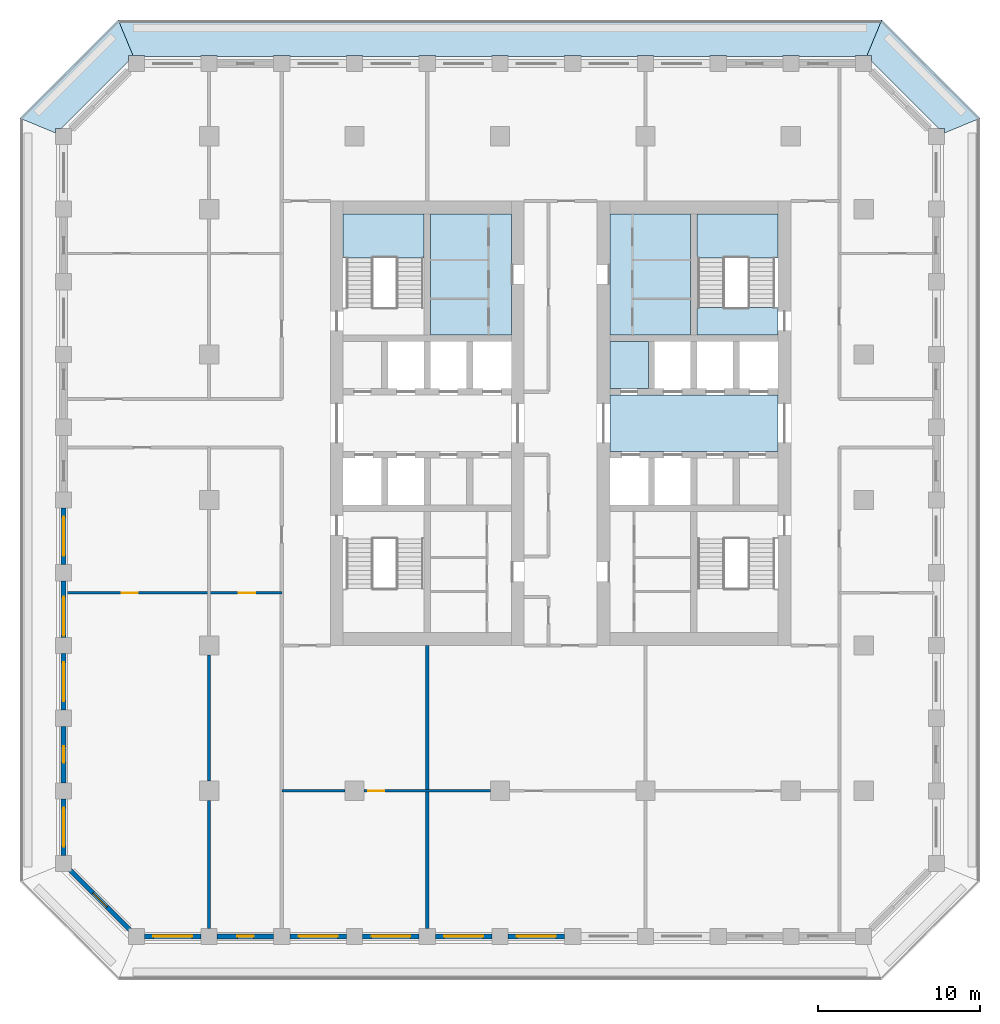
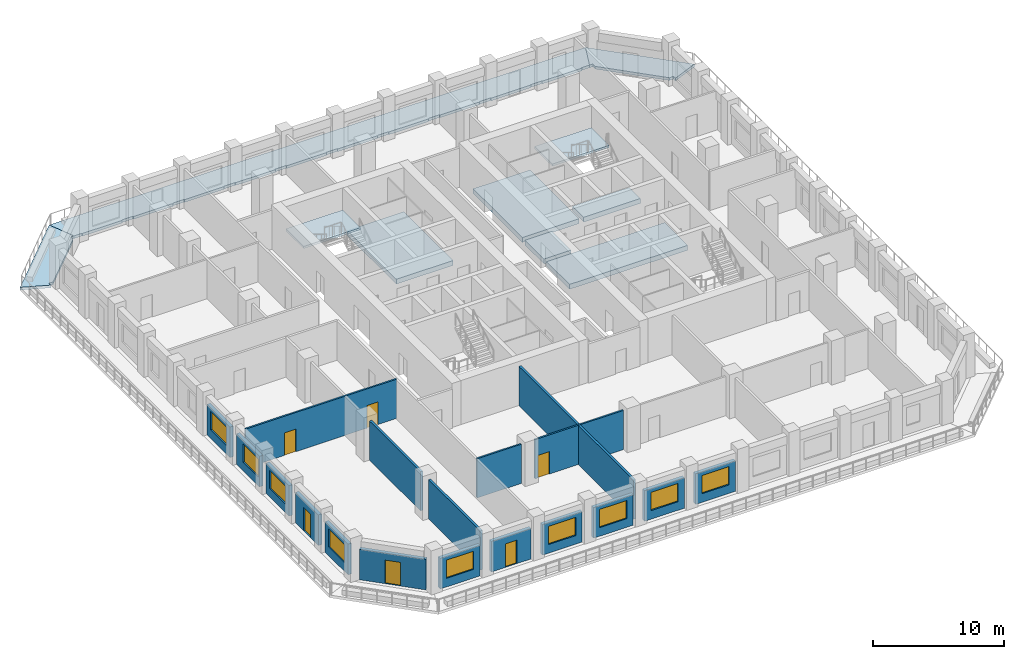
# One storey, part 2 of 16: 18 walls, 10 slabs, 9 windows, 6 doors, 15 openings, 2 elements without a shape of their own.
"""IFC4 building model written with IfcOpenShell, lengths in metres."""

from ifc_helpers import new_model, si_unit, direction, frame, frame_2d, origin, place, context, subcontext, project, spatial, polyline, rectangle, outline, extrude, material, layer, layer_set, type_object, element, fill, aggregate, save


model = new_model("IFC4")

# Units and contexts
model_context = context("Model", 3, precision=1e-05, world=origin(), true_north=direction((0.0, 1.0)))
body_context = subcontext(model_context, "Body", "Model", "MODEL_VIEW")
ifc_project = project(units=[si_unit("LENGTHUNIT", "METRE"), si_unit("AREAUNIT", "SQUARE_METRE"), si_unit("VOLUMEUNIT", "CUBIC_METRE"), si_unit("PLANEANGLEUNIT", "RADIAN"), si_unit("MASSUNIT", "GRAM", prefix="KILO")], contexts=[model_context])

# Site, building, storey
site_placement = place(None, origin())
site = spatial("IfcSite", under=ifc_project, at=site_placement, CompositionType="ELEMENT")
building_placement = place(site_placement, origin())
building = spatial("IfcBuilding", under=site, at=building_placement, Name="Corbel Stack Research Tower", CompositionType="ELEMENT")
storey_placement = place(building_placement, frame((0.0, 0.0, 169.10009765625)))
storey = spatial("IfcBuildingStorey", under=building, at=storey_placement, Name="L38", CompositionType="ELEMENT", Elevation=169.10009765625)

# Slabs
ifc_material_1 = material(Name="Concrete C45/55", Category="concrete")
ifc_layer_1 = layer(ifc_material_1, 0.25)
ifc_layer_set_1 = layer_set([ifc_layer_1], Name="Concrete C45/55")
slab_type_1 = type_object("IfcSlabType", Name="PT balcony slab 250 C45/55", PredefinedType="FLOOR", material=ifc_layer_set_1)
slab_1_placement = place(storey_placement, frame((0.0, 0.0, -0.25)))
element("IfcSlab", 1, at=slab_1_placement, inside=storey, type_object=slab_type_1, Name="Loggia slab L38 NE", PredefinedType="FLOOR", context=body_context, shape_type="SweptSolid", body=[
    extrude(outline(polyline([(22.70703125, 27.5), (23.0, 27.5), (23.0, 27.136474609375), (27.136474609375, 23.0), (27.5, 23.0), (27.5, 22.70703125), (29.699951171875, 23.618408203125), (23.618408203125, 29.699951171875), (22.70703125, 27.5)])), origin(), (0.0, 0.0, 1.0), 0.25),
])
slab_2_placement = place(storey_placement, frame((0.0, 0.0, -0.25)))
element("IfcSlab", 2, at=slab_2_placement, inside=storey, type_object=slab_type_1, Name="Loggia slab L38 N", PredefinedType="FLOOR", context=body_context, shape_type="SweptSolid", body=[
    extrude(outline(polyline([(-22.70703125, 27.5), (-22.0, 27.5), (-22.0, 27.449951171875), (-18.5, 27.449951171875), (-18.5, 27.5), (-17.5, 27.5), (-17.5, 27.449951171875), (-14.0, 27.449951171875), (-14.0, 27.5), (-13.0, 27.5), (-13.0, 27.449951171875), (-9.5, 27.449951171875), (-9.5, 27.5), (-8.5, 27.5), (-8.5, 27.449951171875), (-5.0, 27.449951171875), (-5.0, 27.5), (-4.0, 27.5), (-4.0, 27.449951171875), (-0.5, 27.449951171875), (-0.5, 27.5), (0.5, 27.5), (0.5, 27.449951171875), (4.0, 27.449951171875), (4.0, 27.5), (5.0, 27.5), (5.0, 27.449951171875), (8.5, 27.449951171875), (8.5, 27.5), (9.5, 27.5), (9.5, 27.449951171875), (13.0, 27.449951171875), (13.0, 27.5), (14.0, 27.5), (14.0, 27.449951171875), (17.5, 27.449951171875), (17.5, 27.5), (18.5, 27.5), (18.5, 27.449951171875), (22.0, 27.449951171875), (22.0, 27.5), (22.70703125, 27.5), (23.618408203125, 29.699951171875), (-23.618408203125, 29.699951171875), (-22.70703125, 27.5)])), origin(), (0.0, 0.0, 1.0), 0.25),
])
slab_3_placement = place(storey_placement, frame((0.0, 0.0, -0.25)))
element("IfcSlab", 3, at=slab_3_placement, inside=storey, type_object=slab_type_1, Name="Loggia slab L38 NW", PredefinedType="FLOOR", context=body_context, shape_type="SweptSolid", body=[
    extrude(outline(polyline([(-27.5, 22.70703125), (-27.5, 23.0), (-27.136474609375, 23.0), (-23.0, 27.136474609375), (-23.0, 27.5), (-22.70703125, 27.5), (-23.618408203125, 29.699951171875), (-29.699951171875, 23.618408203125), (-27.5, 22.70703125)])), origin(), (0.0, 0.0, 1.0), 0.25),
])
ifc_material_2 = material(Name="Concrete C45/55", Category="concrete")
ifc_layer_2 = layer(ifc_material_2, 0.449951171875)
ifc_layer_set_2 = layer_set([ifc_layer_2], Name="Concrete C45/55")
slab_type_2 = type_object("IfcSlabType", Name="PT-450", PredefinedType="FLOOR", material=ifc_layer_set_2)
slab_4_placement = place(storey_placement, frame((0.0, 0.0, -0.4501953125)))
element("IfcSlab", 4, at=slab_4_placement, inside=storey, type_object=slab_type_2, Name="West core floor L38", PredefinedType="FLOOR", context=body_context, shape_type="SweptSolid", body=[
    extrude(outline(polyline([(0.699951171875, 17.699951171875), (-4.300048828125, 17.699951171875), (-4.300048828125, 10.199951171875), (0.699951171875, 10.199951171875), (0.699951171875, 17.699951171875)])), origin(), (0.0, 0.0, 1.0), 0.4501953125),
])
slab_5_placement = place(storey_placement, frame((0.0, 0.0, -0.4501953125)))
element("IfcSlab", 5, at=slab_5_placement, inside=storey, type_object=slab_type_2, Name="East core floor L38", PredefinedType="FLOOR", context=body_context, shape_type="SweptSolid", body=[
    extrude(outline(polyline([(17.199951171875, 6.5), (6.800048828125, 6.5), (6.800048828125, 3.0), (17.199951171875, 3.0), (17.199951171875, 6.5)])), origin(), (0.0, 0.0, 1.0), 0.4501953125),
])
slab_6_placement = place(storey_placement, frame((0.0, 0.0, -0.4501953125)))
element("IfcSlab", 6, at=slab_6_placement, inside=storey, type_object=slab_type_2, Name="East core floor L38", PredefinedType="FLOOR", context=body_context, shape_type="SweptSolid", body=[
    extrude(outline(polyline([(6.800048828125, 6.89990234375), (9.175048828125, 6.89990234375), (9.175048828125, 9.800048828125), (6.800048828125, 9.800048828125), (6.800048828125, 6.89990234375)])), origin(), (0.0, 0.0, 1.0), 0.4501953125),
])
slab_7_placement = place(storey_placement, frame((0.0, 0.0, -0.4501953125)))
element("IfcSlab", 7, at=slab_7_placement, inside=storey, type_object=slab_type_2, Name="East core floor L38", PredefinedType="FLOOR", context=body_context, shape_type="SweptSolid", body=[
    extrude(outline(polyline([(6.800048828125, 17.699951171875), (6.800048828125, 10.199951171875), (11.800048828125, 10.199951171875), (11.800048828125, 17.699951171875), (6.800048828125, 17.699951171875)])), origin(), (0.0, 0.0, 1.0), 0.4501953125),
])
slab_8_placement = place(storey_placement, frame((0.0, 0.0, -0.4501953125)))
element("IfcSlab", 8, at=slab_8_placement, inside=storey, type_object=slab_type_2, Name="Stair floor landing ST-E2", PredefinedType="FLOOR", context=body_context, shape_type="SweptSolid", body=[
    extrude(outline(polyline([(12.199951171875, 10.199951171875), (17.199951171875, 10.199951171875), (17.199951171875, 11.89990234375), (12.199951171875, 11.89990234375), (12.199951171875, 10.199951171875)])), origin(), (0.0, 0.0, 1.0), 0.4501953125),
])

# Stair, slab
ifc_material_3 = material(Name="Concrete C40/50", Category="concrete")
stair_type = type_object("IfcStairType", Name="Exit stair 24 risers", PredefinedType="HALF_TURN_STAIR", material=ifc_material_3)
stair_1_placement = place(storey_placement, origin())
stair_1 = element("IfcStair", 9, at=stair_1_placement, inside=storey, type_object=stair_type, Name="L38 Exit stair ST-W2", PredefinedType="HALF_TURN_STAIR")
ifc_material_4 = material(Name="Concrete C40/50", Category="concrete")
ifc_layer_3 = layer(ifc_material_4, 0.199951171875)
ifc_layer_set_3 = layer_set([ifc_layer_3], Name="Concrete C40/50")
slab_type_3 = type_object("IfcSlabType", Name="Stair landing 200 C40/50", PredefinedType="LANDING", material=ifc_layer_set_3)
slab_9_placement = place(storey_placement, frame((0.0, 0.0, 1.849853515625)))
slab_9 = element("IfcSlab", 10, at=slab_9_placement, type_object=slab_type_3, Name="ST-W2 landing 1", PredefinedType="LANDING", context=body_context, shape_type="SweptSolid", body=[
    extrude(outline(polyline([(-9.699951171875, 14.97998046875), (-9.699951171875, 17.699951171875), (-4.699951171875, 17.699951171875), (-4.699951171875, 14.97998046875), (-9.699951171875, 14.97998046875)])), origin(), (0.0, 0.0, 1.0), 0.199951171875),
])
aggregate(stair_1, [slab_9])

stair_2_placement = place(storey_placement, origin())
stair_2 = element("IfcStair", 11, at=stair_2_placement, inside=storey, type_object=stair_type, Name="L38 Exit stair ST-E2", PredefinedType="HALF_TURN_STAIR")
slab_10_placement = place(storey_placement, frame((0.0, 0.0, 1.849853515625)))
slab_10 = element("IfcSlab", 12, at=slab_10_placement, type_object=slab_type_3, Name="ST-E2 landing 1", PredefinedType="LANDING", context=body_context, shape_type="SweptSolid", body=[
    extrude(outline(polyline([(12.199951171875, 14.97998046875), (12.199951171875, 17.699951171875), (17.199951171875, 17.699951171875), (17.199951171875, 14.97998046875), (12.199951171875, 14.97998046875)])), origin(), (0.0, 0.0, 1.0), 0.199951171875),
])
aggregate(stair_2, [slab_10])

# Walls
ifc_material_5 = material(Name="Fire-rated gypsum board partition on steel studs", Category="steel")
ifc_layer_4 = layer(ifc_material_5, 0.199951171875)
ifc_layer_set_4 = layer_set([ifc_layer_4], Name="Fire-rated gypsum board partition on steel studs")
wall_type_1 = type_object("IfcWallType", Name="Fire-rated partition 200 EI 60", PredefinedType="PARTITIONING", material=ifc_layer_set_4)
wall_1_placement = place(storey_placement, frame((-18.0, -26.5, 0.0), z_axis=(0.0, 0.0, 1.0), x_axis=(0.0, 1.0, 0.0)))
element("IfcWall", 13, at=wall_1_placement, inside=storey, type_object=wall_type_1, Name="Partition L38-001", PredefinedType="PARTITIONING", context=body_context, shape_type="SweptSolid", body=[
    extrude(rectangle(XDim=7.89990234375, YDim=0.199951171875, at=frame_2d((3.949951171875, 0.0))), origin(), (0.0, 0.0, 1.0), 3.64990234375),
])
wall_2_placement = place(storey_placement, frame((-18.0, -17.39990234375, 0.0), z_axis=(0.0, 0.0, 1.0), x_axis=(0.0, 1.0, 0.0)))
element("IfcWall", 14, at=wall_2_placement, inside=storey, type_object=wall_type_1, Name="Partition L38-002", PredefinedType="PARTITIONING", context=body_context, shape_type="SweptSolid", body=[
    extrude(rectangle(XDim=7.7998046875, YDim=0.199951171875, at=frame_2d((3.89990234375, 0.0))), origin(), (0.0, 0.0, 1.0), 3.64990234375),
])
wall_3_placement = place(storey_placement, frame((-4.5, -26.5, 0.0), z_axis=(0.0, 0.0, 1.0), x_axis=(0.0, 1.0, 0.0)))
element("IfcWall", 15, at=wall_3_placement, inside=storey, type_object=wall_type_1, Name="Partition L38-011", PredefinedType="PARTITIONING", context=body_context, shape_type="SweptSolid", body=[
    extrude(rectangle(XDim=17.5, YDim=0.199951171875, at=frame_2d((8.75, 0.0))), origin(), (0.0, 0.0, 1.0), 3.64990234375),
])
ifc_material_6 = material(Name="Gypsum board partition on steel studs", Category="steel")
ifc_layer_5 = layer(ifc_material_6, 0.14990234375)
ifc_layer_set_5 = layer_set([ifc_layer_5], Name="Gypsum board partition on steel studs")
wall_type_2 = type_object("IfcWallType", Name="Partition 150", PredefinedType="PARTITIONING", material=ifc_layer_set_5)
wall_4_placement = place(storey_placement, frame((-13.5, -18.0, 0.0), z_axis=(0.0, 0.0, 1.0), x_axis=(1.0, 0.0, 0.0)))
element("IfcWall", 16, at=wall_4_placement, inside=storey, type_object=wall_type_2, Name="Partition L38-022", PredefinedType="PARTITIONING", context=body_context, shape_type="SweptSolid", body=[
    extrude(rectangle(XDim=3.89990234375, YDim=0.14990234375, at=frame_2d((1.949951171875, 0.0))), origin(), (0.0, 0.0, 1.0), 3.64990234375),
])

# Wall, opening, door
wall_5_placement = place(storey_placement, frame((-0.60009765625, -18.0, 0.0), z_axis=(0.0, 0.0, 1.0), x_axis=(-1.0, 0.0, 0.0)))
wall_5 = element("IfcWall", 17, at=wall_5_placement, inside=storey, type_object=wall_type_2, Name="Partition L38-023", PredefinedType="PARTITIONING", context=body_context, shape_type="SweptSolid", body=[
    extrude(rectangle(XDim=7.7998046875, YDim=0.14990234375, at=frame_2d((3.89990234375, 0.0))), origin(), (0.0, 0.0, 1.0), 3.64990234375),
])
opening_1_placement = place(wall_5_placement, frame((6.550048828125, 0.0, 0.0)))
opening_1 = element("IfcOpeningElement", 18, at=opening_1_placement, cuts=wall_5, Name="Opening B5V1-001", PredefinedType="OPENING", context=body_context, shape_type="SweptSolid", body=[
    extrude(rectangle(XDim=1.0, YDim=2.10009765625, at=frame_2d((0.5, 1.050048828125))), frame((0.0, 0.0849609375, 0.0), z_axis=(0.0, -1.0, 0.0), x_axis=(1.0, 0.0, 0.0)), (0.0, 0.0, 1.0), 0.169921875),
])
ifc_material_7 = material(Name="Painted timber door", Category="wood")
door_type_1 = type_object("IfcDoorType", Name="Single door 1000 x 2100", OperationType="NOTDEFINED", PredefinedType="DOOR", material=ifc_material_7)
door_1_placement = place(opening_1_placement, origin())
door_1 = element("IfcDoor", 19, at=door_1_placement, inside=storey, type_object=door_type_1, Name="Door B5V1-001", OperationType="SINGLE_SWING_RIGHT", OverallHeight=2.10009765625, OverallWidth=1.0, PredefinedType="DOOR", context=body_context, shape_type="SweptSolid", body=[
    extrude(rectangle(XDim=1.0, YDim=2.10009765625, at=frame_2d((0.5, 1.050048828125))), frame((0.0, 0.02490234375, 0.0), z_axis=(0.0, -1.0, 0.0), x_axis=(1.0, 0.0, 0.0)), (0.0, 0.0, 1.0), 0.050048828125),
])
fill(opening_1, door_1)

# Wall, openings, doors
wall_6_placement = place(storey_placement, frame((-13.5, -5.75, 0.0), z_axis=(0.0, 0.0, 1.0), x_axis=(-1.0, 0.0, 0.0)))
wall_6 = element("IfcWall", 20, at=wall_6_placement, inside=storey, type_object=wall_type_2, Name="Partition L38-031", PredefinedType="PARTITIONING", context=body_context, shape_type="SweptSolid", body=[
    extrude(rectangle(XDim=13.35009765625, YDim=0.14990234375, at=frame_2d((6.675048828125, 0.0))), origin(), (0.0, 0.0, 1.0), 3.64990234375),
])
opening_2_placement = place(wall_6_placement, frame((8.89990234375, 0.0, 0.0)))
opening_2 = element("IfcOpeningElement", 21, at=opening_2_placement, cuts=wall_6, Name="Opening B5V1-009", PredefinedType="OPENING", context=body_context, shape_type="SweptSolid", body=[
    extrude(rectangle(XDim=1.0, YDim=2.10009765625, at=frame_2d((0.5, 1.050048828125))), frame((0.0, 0.0849609375, 0.0), z_axis=(0.0, -1.0, 0.0), x_axis=(1.0, 0.0, 0.0)), (0.0, 0.0, 1.0), 0.169921875),
])
opening_3_placement = place(wall_6_placement, frame((1.64990234375, 0.0, 0.0)))
opening_3 = element("IfcOpeningElement", 22, at=opening_3_placement, cuts=wall_6, Name="Opening B5V1-010", PredefinedType="OPENING", context=body_context, shape_type="SweptSolid", body=[
    extrude(rectangle(XDim=1.0, YDim=2.10009765625, at=frame_2d((0.5, 1.050048828125))), frame((0.0, 0.0849609375, 0.0), z_axis=(0.0, -1.0, 0.0), x_axis=(1.0, 0.0, 0.0)), (0.0, 0.0, 1.0), 0.169921875),
])
door_2_placement = place(opening_2_placement, origin())
door_2 = element("IfcDoor", 23, at=door_2_placement, inside=storey, type_object=door_type_1, Name="Door B5V1-009", OperationType="SINGLE_SWING_RIGHT", OverallHeight=2.10009765625, OverallWidth=1.0, PredefinedType="DOOR", context=body_context, shape_type="SweptSolid", body=[
    extrude(rectangle(XDim=1.0, YDim=2.10009765625, at=frame_2d((0.5, 1.050048828125))), frame((0.0, 0.02490234375, 0.0), z_axis=(0.0, -1.0, 0.0), x_axis=(1.0, 0.0, 0.0)), (0.0, 0.0, 1.0), 0.050048828125),
])
fill(opening_2, door_2)
door_3_placement = place(opening_3_placement, origin())
door_3 = element("IfcDoor", 24, at=door_3_placement, inside=storey, type_object=door_type_1, Name="Door B5V1-010", OperationType="SINGLE_SWING_LEFT", OverallHeight=2.10009765625, OverallWidth=1.0, PredefinedType="DOOR", context=body_context, shape_type="SweptSolid", body=[
    extrude(rectangle(XDim=1.0, YDim=2.10009765625, at=frame_2d((0.5, 1.050048828125))), frame((0.0, 0.02490234375, 0.0), z_axis=(0.0, -1.0, 0.0), x_axis=(1.0, 0.0, 0.0)), (0.0, 0.0, 1.0), 0.050048828125),
])
fill(opening_3, door_3)

# Wall, opening, window
ifc_material_8 = material(Name="Concrete C45/55", Category="concrete")
ifc_layer_6 = layer(ifc_material_8, 0.300048828125)
ifc_layer_set_6 = layer_set([ifc_layer_6], Name="Concrete C45/55")
wall_type_3 = type_object("IfcWallType", Name="Terracotta-faced concrete wall 300", PredefinedType="SOLIDWALL", material=ifc_layer_set_6)
wall_7_placement = place(storey_placement, frame((-18.5, -27.0, 0.0), z_axis=(0.0, 0.0, 1.0), x_axis=(-1.0, 0.0, 0.0)))
wall_7 = element("IfcWall", 25, at=wall_7_placement, inside=storey, type_object=wall_type_3, Name="Facade wall L38 S01", PredefinedType="SOLIDWALL", context=body_context, shape_type="SweptSolid", body=[
    extrude(rectangle(XDim=3.5, YDim=0.300048828125, at=frame_2d((1.75, 0.0))), origin(), (0.0, 0.0, 1.0), 2.849853515625),
])
opening_4_placement = place(wall_7_placement, frame((0.550048828125, 0.0, 0.800048828125)))
opening_4 = element("IfcOpeningElement", 26, at=opening_4_placement, cuts=wall_7, Name="Opening W1", PredefinedType="OPENING", context=body_context, shape_type="SweptSolid", body=[
    extrude(rectangle(XDim=2.39990234375, YDim=1.699951171875, at=frame_2d((1.199951171875, 0.85009765625))), frame((0.0, 0.159912109375, 0.0), z_axis=(0.0, -1.0, 0.0), x_axis=(1.0, 0.0, 0.0)), (0.0, 0.0, 1.0), 0.320068359375),
])
ifc_material_9 = material(Name="Aluminium frame, clear double glazing", Category="aluminium")
window_type = type_object("IfcWindowType", Name="Window W1 2400 x 1700", PartitioningType="SINGLE_PANEL", PredefinedType="WINDOW", material=ifc_material_9)
window_1_placement = place(opening_4_placement, origin())
window_1 = element("IfcWindow", 27, at=window_1_placement, inside=storey, type_object=window_type, Name="Window W1 L38 S01", OverallHeight=1.699951171875, OverallWidth=2.39990234375, PartitioningType="SINGLE_PANEL", PredefinedType="WINDOW", context=body_context, shape_type="SweptSolid", body=[
    extrude(rectangle(XDim=2.39990234375, YDim=1.699951171875, at=frame_2d((1.199951171875, 0.85009765625))), frame((0.0, 0.030029296875, 0.0), z_axis=(0.0, -1.0, 0.0), x_axis=(1.0, 0.0, 0.0)), (0.0, 0.0, 1.0), 0.06005859375),
])
fill(opening_4, window_1)

# Wall, opening, door
wall_8_placement = place(storey_placement, frame((-14.0, -27.0, 0.0), z_axis=(0.0, 0.0, 1.0), x_axis=(-1.0, 0.0, 0.0)))
wall_8 = element("IfcWall", 28, at=wall_8_placement, inside=storey, type_object=wall_type_3, Name="Facade wall L38 S02", PredefinedType="SOLIDWALL", context=body_context, shape_type="SweptSolid", body=[
    extrude(rectangle(XDim=3.5, YDim=0.300048828125, at=frame_2d((1.75, 0.0))), origin(), (0.0, 0.0, 1.0), 2.849853515625),
])
opening_5_placement = place(wall_8_placement, frame((1.25, 0.0, 0.0)))
opening_5 = element("IfcOpeningElement", 29, at=opening_5_placement, cuts=wall_8, Name="Opening L38-B01", PredefinedType="OPENING", context=body_context, shape_type="SweptSolid", body=[
    extrude(rectangle(XDim=1.0, YDim=2.199951171875, at=frame_2d((0.5, 1.10009765625))), frame((0.0, 0.159912109375, 0.0), z_axis=(0.0, -1.0, 0.0), x_axis=(1.0, 0.0, 0.0)), (0.0, 0.0, 1.0), 0.320068359375),
])
ifc_material_10 = material(Name="Aluminium frame, clear double glazing", Category="aluminium")
door_type_2 = type_object("IfcDoorType", Name="Balcony door BD1 1000 x 2200", OperationType="NOTDEFINED", PredefinedType="DOOR", material=ifc_material_10)
door_4_placement = place(opening_5_placement, origin())
door_4 = element("IfcDoor", 30, at=door_4_placement, inside=storey, type_object=door_type_2, Name="Balcony door L38-B01", OperationType="SINGLE_SWING_RIGHT", OverallHeight=2.199951171875, OverallWidth=1.0, PredefinedType="DOOR", context=body_context, shape_type="SweptSolid", body=[
    extrude(rectangle(XDim=1.0, YDim=2.199951171875, at=frame_2d((0.5, 1.10009765625))), frame((0.0, 0.02490234375, 0.0), z_axis=(0.0, -1.0, 0.0), x_axis=(1.0, 0.0, 0.0)), (0.0, 0.0, 1.0), 0.050048828125),
])
fill(opening_5, door_4)

# Wall, opening, window
wall_9_placement = place(storey_placement, frame((-9.5, -27.0, 0.0), z_axis=(0.0, 0.0, 1.0), x_axis=(-1.0, 0.0, 0.0)))
wall_9 = element("IfcWall", 31, at=wall_9_placement, inside=storey, type_object=wall_type_3, Name="Facade wall L38 S03", PredefinedType="SOLIDWALL", context=body_context, shape_type="SweptSolid", body=[
    extrude(rectangle(XDim=3.5, YDim=0.300048828125, at=frame_2d((1.75, 0.0))), origin(), (0.0, 0.0, 1.0), 2.849853515625),
])
opening_6_placement = place(wall_9_placement, frame((0.550048828125, 0.0, 0.800048828125)))
opening_6 = element("IfcOpeningElement", 32, at=opening_6_placement, cuts=wall_9, Name="Opening W1", PredefinedType="OPENING", context=body_context, shape_type="SweptSolid", body=[
    extrude(rectangle(XDim=2.39990234375, YDim=1.699951171875, at=frame_2d((1.199951171875, 0.85009765625))), frame((0.0, 0.159912109375, 0.0), z_axis=(0.0, -1.0, 0.0), x_axis=(1.0, 0.0, 0.0)), (0.0, 0.0, 1.0), 0.320068359375),
])
window_2_placement = place(opening_6_placement, origin())
window_2 = element("IfcWindow", 33, at=window_2_placement, inside=storey, type_object=window_type, Name="Window W1 L38 S03", OverallHeight=1.699951171875, OverallWidth=2.39990234375, PartitioningType="SINGLE_PANEL", PredefinedType="WINDOW", context=body_context, shape_type="SweptSolid", body=[
    extrude(rectangle(XDim=2.39990234375, YDim=1.699951171875, at=frame_2d((1.199951171875, 0.85009765625))), frame((0.0, 0.030029296875, 0.0), z_axis=(0.0, -1.0, 0.0), x_axis=(1.0, 0.0, 0.0)), (0.0, 0.0, 1.0), 0.06005859375),
])
fill(opening_6, window_2)

wall_10_placement = place(storey_placement, frame((-5.0, -27.0, 0.0), z_axis=(0.0, 0.0, 1.0), x_axis=(-1.0, 0.0, 0.0)))
wall_10 = element("IfcWall", 34, at=wall_10_placement, inside=storey, type_object=wall_type_3, Name="Facade wall L38 S04", PredefinedType="SOLIDWALL", context=body_context, shape_type="SweptSolid", body=[
    extrude(rectangle(XDim=3.5, YDim=0.300048828125, at=frame_2d((1.75, 0.0))), origin(), (0.0, 0.0, 1.0), 2.849853515625),
])
opening_7_placement = place(wall_10_placement, frame((0.550048828125, 0.0, 0.800048828125)))
opening_7 = element("IfcOpeningElement", 35, at=opening_7_placement, cuts=wall_10, Name="Opening W1", PredefinedType="OPENING", context=body_context, shape_type="SweptSolid", body=[
    extrude(rectangle(XDim=2.39990234375, YDim=1.699951171875, at=frame_2d((1.199951171875, 0.85009765625))), frame((0.0, 0.159912109375, 0.0), z_axis=(0.0, -1.0, 0.0), x_axis=(1.0, 0.0, 0.0)), (0.0, 0.0, 1.0), 0.320068359375),
])
window_3_placement = place(opening_7_placement, origin())
window_3 = element("IfcWindow", 36, at=window_3_placement, inside=storey, type_object=window_type, Name="Window W1 L38 S04", OverallHeight=1.699951171875, OverallWidth=2.39990234375, PartitioningType="SINGLE_PANEL", PredefinedType="WINDOW", context=body_context, shape_type="SweptSolid", body=[
    extrude(rectangle(XDim=2.39990234375, YDim=1.699951171875, at=frame_2d((1.199951171875, 0.85009765625))), frame((0.0, 0.030029296875, 0.0), z_axis=(0.0, -1.0, 0.0), x_axis=(1.0, 0.0, 0.0)), (0.0, 0.0, 1.0), 0.06005859375),
])
fill(opening_7, window_3)

wall_11_placement = place(storey_placement, frame((-0.5, -27.0, 0.0), z_axis=(0.0, 0.0, 1.0), x_axis=(-1.0, 0.0, 0.0)))
wall_11 = element("IfcWall", 37, at=wall_11_placement, inside=storey, type_object=wall_type_3, Name="Facade wall L38 S05", PredefinedType="SOLIDWALL", context=body_context, shape_type="SweptSolid", body=[
    extrude(rectangle(XDim=3.5, YDim=0.300048828125, at=frame_2d((1.75, 0.0))), origin(), (0.0, 0.0, 1.0), 2.849853515625),
])
opening_8_placement = place(wall_11_placement, frame((0.550048828125, 0.0, 0.800048828125)))
opening_8 = element("IfcOpeningElement", 38, at=opening_8_placement, cuts=wall_11, Name="Opening W1", PredefinedType="OPENING", context=body_context, shape_type="SweptSolid", body=[
    extrude(rectangle(XDim=2.39990234375, YDim=1.699951171875, at=frame_2d((1.199951171875, 0.85009765625))), frame((0.0, 0.159912109375, 0.0), z_axis=(0.0, -1.0, 0.0), x_axis=(1.0, 0.0, 0.0)), (0.0, 0.0, 1.0), 0.320068359375),
])
window_4_placement = place(opening_8_placement, origin())
window_4 = element("IfcWindow", 39, at=window_4_placement, inside=storey, type_object=window_type, Name="Window W1 L38 S05", OverallHeight=1.699951171875, OverallWidth=2.39990234375, PartitioningType="SINGLE_PANEL", PredefinedType="WINDOW", context=body_context, shape_type="SweptSolid", body=[
    extrude(rectangle(XDim=2.39990234375, YDim=1.699951171875, at=frame_2d((1.199951171875, 0.85009765625))), frame((0.0, 0.030029296875, 0.0), z_axis=(0.0, -1.0, 0.0), x_axis=(1.0, 0.0, 0.0)), (0.0, 0.0, 1.0), 0.06005859375),
])
fill(opening_8, window_4)

wall_12_placement = place(storey_placement, frame((4.0, -27.0, 0.0), z_axis=(0.0, 0.0, 1.0), x_axis=(-1.0, 0.0, 0.0)))
wall_12 = element("IfcWall", 40, at=wall_12_placement, inside=storey, type_object=wall_type_3, Name="Facade wall L38 S06", PredefinedType="SOLIDWALL", context=body_context, shape_type="SweptSolid", body=[
    extrude(rectangle(XDim=3.5, YDim=0.300048828125, at=frame_2d((1.75, 0.0))), origin(), (0.0, 0.0, 1.0), 2.849853515625),
])
opening_9_placement = place(wall_12_placement, frame((0.550048828125, 0.0, 0.800048828125)))
opening_9 = element("IfcOpeningElement", 41, at=opening_9_placement, cuts=wall_12, Name="Opening W1", PredefinedType="OPENING", context=body_context, shape_type="SweptSolid", body=[
    extrude(rectangle(XDim=2.39990234375, YDim=1.699951171875, at=frame_2d((1.199951171875, 0.85009765625))), frame((0.0, 0.159912109375, 0.0), z_axis=(0.0, -1.0, 0.0), x_axis=(1.0, 0.0, 0.0)), (0.0, 0.0, 1.0), 0.320068359375),
])
window_5_placement = place(opening_9_placement, origin())
window_5 = element("IfcWindow", 42, at=window_5_placement, inside=storey, type_object=window_type, Name="Window W1 L38 S06", OverallHeight=1.699951171875, OverallWidth=2.39990234375, PartitioningType="SINGLE_PANEL", PredefinedType="WINDOW", context=body_context, shape_type="SweptSolid", body=[
    extrude(rectangle(XDim=2.39990234375, YDim=1.699951171875, at=frame_2d((1.199951171875, 0.85009765625))), frame((0.0, 0.030029296875, 0.0), z_axis=(0.0, -1.0, 0.0), x_axis=(1.0, 0.0, 0.0)), (0.0, 0.0, 1.0), 0.06005859375),
])
fill(opening_9, window_5)

wall_13_placement = place(storey_placement, frame((-27.0, -4.0, 0.0), z_axis=(0.0, 0.0, 1.0), x_axis=(0.0, 1.0, 0.0)))
wall_13 = element("IfcWall", 43, at=wall_13_placement, inside=storey, type_object=wall_type_3, Name="Facade wall L38 W06", PredefinedType="SOLIDWALL", context=body_context, shape_type="SweptSolid", body=[
    extrude(rectangle(XDim=3.5, YDim=0.300048828125, at=frame_2d((1.75, 0.0))), origin(), (0.0, 0.0, 1.0), 2.849853515625),
])
opening_10_placement = place(wall_13_placement, frame((0.550048828125, 0.0, 0.800048828125)))
opening_10 = element("IfcOpeningElement", 44, at=opening_10_placement, cuts=wall_13, Name="Opening W1", PredefinedType="OPENING", context=body_context, shape_type="SweptSolid", body=[
    extrude(rectangle(XDim=2.39990234375, YDim=1.699951171875, at=frame_2d((1.199951171875, 0.85009765625))), frame((0.0, 0.159912109375, 0.0), z_axis=(0.0, -1.0, 0.0), x_axis=(1.0, 0.0, 0.0)), (0.0, 0.0, 1.0), 0.320068359375),
])
window_6_placement = place(opening_10_placement, origin())
window_6 = element("IfcWindow", 45, at=window_6_placement, inside=storey, type_object=window_type, Name="Window W1 L38 W06", OverallHeight=1.699951171875, OverallWidth=2.39990234375, PartitioningType="SINGLE_PANEL", PredefinedType="WINDOW", context=body_context, shape_type="SweptSolid", body=[
    extrude(rectangle(XDim=2.39990234375, YDim=1.699951171875, at=frame_2d((1.199951171875, 0.85009765625))), frame((0.0, 0.030029296875, 0.0), z_axis=(0.0, -1.0, 0.0), x_axis=(1.0, 0.0, 0.0)), (0.0, 0.0, 1.0), 0.06005859375),
])
fill(opening_10, window_6)

wall_14_placement = place(storey_placement, frame((-27.0, -8.5, 0.0), z_axis=(0.0, 0.0, 1.0), x_axis=(0.0, 1.0, 0.0)))
wall_14 = element("IfcWall", 46, at=wall_14_placement, inside=storey, type_object=wall_type_3, Name="Facade wall L38 W07", PredefinedType="SOLIDWALL", context=body_context, shape_type="SweptSolid", body=[
    extrude(rectangle(XDim=3.5, YDim=0.300048828125, at=frame_2d((1.75, 0.0))), origin(), (0.0, 0.0, 1.0), 2.849853515625),
])
opening_11_placement = place(wall_14_placement, frame((0.112548828125, 0.0, 0.800048828125)))
opening_11 = element("IfcOpeningElement", 47, at=opening_11_placement, cuts=wall_14, Name="Opening W1", PredefinedType="OPENING", context=body_context, shape_type="SweptSolid", body=[
    extrude(rectangle(XDim=2.39990234375, YDim=1.699951171875, at=frame_2d((1.199951171875, 0.85009765625))), frame((0.0, 0.159912109375, 0.0), z_axis=(0.0, -1.0, 0.0), x_axis=(1.0, 0.0, 0.0)), (0.0, 0.0, 1.0), 0.320068359375),
])
window_7_placement = place(opening_11_placement, origin())
window_7 = element("IfcWindow", 48, at=window_7_placement, inside=storey, type_object=window_type, Name="Window W1 L38 W07", OverallHeight=1.699951171875, OverallWidth=2.39990234375, PartitioningType="SINGLE_PANEL", PredefinedType="WINDOW", context=body_context, shape_type="SweptSolid", body=[
    extrude(rectangle(XDim=2.39990234375, YDim=1.699951171875, at=frame_2d((1.199951171875, 0.85009765625))), frame((0.0, 0.030029296875, 0.0), z_axis=(0.0, -1.0, 0.0), x_axis=(1.0, 0.0, 0.0)), (0.0, 0.0, 1.0), 0.06005859375),
])
fill(opening_11, window_7)

wall_15_placement = place(storey_placement, frame((-27.0, -13.0, 0.0), z_axis=(0.0, 0.0, 1.0), x_axis=(0.0, 1.0, 0.0)))
wall_15 = element("IfcWall", 49, at=wall_15_placement, inside=storey, type_object=wall_type_3, Name="Facade wall L38 W08", PredefinedType="SOLIDWALL", context=body_context, shape_type="SweptSolid", body=[
    extrude(rectangle(XDim=3.5, YDim=0.300048828125, at=frame_2d((1.75, 0.0))), origin(), (0.0, 0.0, 1.0), 2.849853515625),
])
opening_12_placement = place(wall_15_placement, frame((0.550048828125, 0.0, 0.800048828125)))
opening_12 = element("IfcOpeningElement", 50, at=opening_12_placement, cuts=wall_15, Name="Opening W1", PredefinedType="OPENING", context=body_context, shape_type="SweptSolid", body=[
    extrude(rectangle(XDim=2.39990234375, YDim=1.699951171875, at=frame_2d((1.199951171875, 0.85009765625))), frame((0.0, 0.159912109375, 0.0), z_axis=(0.0, -1.0, 0.0), x_axis=(1.0, 0.0, 0.0)), (0.0, 0.0, 1.0), 0.320068359375),
])
window_8_placement = place(opening_12_placement, origin())
window_8 = element("IfcWindow", 51, at=window_8_placement, inside=storey, type_object=window_type, Name="Window W1 L38 W08", OverallHeight=1.699951171875, OverallWidth=2.39990234375, PartitioningType="SINGLE_PANEL", PredefinedType="WINDOW", context=body_context, shape_type="SweptSolid", body=[
    extrude(rectangle(XDim=2.39990234375, YDim=1.699951171875, at=frame_2d((1.199951171875, 0.85009765625))), frame((0.0, 0.030029296875, 0.0), z_axis=(0.0, -1.0, 0.0), x_axis=(1.0, 0.0, 0.0)), (0.0, 0.0, 1.0), 0.06005859375),
])
fill(opening_12, window_8)

# Wall, opening, door
wall_16_placement = place(storey_placement, frame((-27.0, -17.5, 0.0), z_axis=(0.0, 0.0, 1.0), x_axis=(0.0, 1.0, 0.0)))
wall_16 = element("IfcWall", 52, at=wall_16_placement, inside=storey, type_object=wall_type_3, Name="Facade wall L38 W09", PredefinedType="SOLIDWALL", context=body_context, shape_type="SweptSolid", body=[
    extrude(rectangle(XDim=3.5, YDim=0.300048828125, at=frame_2d((1.75, 0.0))), origin(), (0.0, 0.0, 1.0), 2.849853515625),
])
opening_13_placement = place(wall_16_placement, frame((1.25, 0.0, 0.0)))
opening_13 = element("IfcOpeningElement", 53, at=opening_13_placement, cuts=wall_16, Name="Opening L38-B11", PredefinedType="OPENING", context=body_context, shape_type="SweptSolid", body=[
    extrude(rectangle(XDim=1.0, YDim=2.199951171875, at=frame_2d((0.5, 1.10009765625))), frame((0.0, 0.159912109375, 0.0), z_axis=(0.0, -1.0, 0.0), x_axis=(1.0, 0.0, 0.0)), (0.0, 0.0, 1.0), 0.320068359375),
])
door_5_placement = place(opening_13_placement, origin())
door_5 = element("IfcDoor", 54, at=door_5_placement, inside=storey, type_object=door_type_2, Name="Balcony door L38-B11", OperationType="SINGLE_SWING_LEFT", OverallHeight=2.199951171875, OverallWidth=1.0, PredefinedType="DOOR", context=body_context, shape_type="SweptSolid", body=[
    extrude(rectangle(XDim=1.0, YDim=2.199951171875, at=frame_2d((0.5, 1.10009765625))), frame((0.0, 0.02490234375, 0.0), z_axis=(0.0, -1.0, 0.0), x_axis=(1.0, 0.0, 0.0)), (0.0, 0.0, 1.0), 0.050048828125),
])
fill(opening_13, door_5)

# Wall, opening, window
wall_17_placement = place(storey_placement, frame((-27.0, -22.0, 0.0), z_axis=(0.0, 0.0, 1.0), x_axis=(0.0, 1.0, 0.0)))
wall_17 = element("IfcWall", 55, at=wall_17_placement, inside=storey, type_object=wall_type_3, Name="Facade wall L38 W10", PredefinedType="SOLIDWALL", context=body_context, shape_type="SweptSolid", body=[
    extrude(rectangle(XDim=3.5, YDim=0.300048828125, at=frame_2d((1.75, 0.0))), origin(), (0.0, 0.0, 1.0), 2.849853515625),
])
opening_14_placement = place(wall_17_placement, frame((0.550048828125, 0.0, 0.800048828125)))
opening_14 = element("IfcOpeningElement", 56, at=opening_14_placement, cuts=wall_17, Name="Opening W1", PredefinedType="OPENING", context=body_context, shape_type="SweptSolid", body=[
    extrude(rectangle(XDim=2.39990234375, YDim=1.699951171875, at=frame_2d((1.199951171875, 0.85009765625))), frame((0.0, 0.159912109375, 0.0), z_axis=(0.0, -1.0, 0.0), x_axis=(1.0, 0.0, 0.0)), (0.0, 0.0, 1.0), 0.320068359375),
])
window_9_placement = place(opening_14_placement, origin())
window_9 = element("IfcWindow", 57, at=window_9_placement, inside=storey, type_object=window_type, Name="Window W1 L38 W10", OverallHeight=1.699951171875, OverallWidth=2.39990234375, PartitioningType="SINGLE_PANEL", PredefinedType="WINDOW", context=body_context, shape_type="SweptSolid", body=[
    extrude(rectangle(XDim=2.39990234375, YDim=1.699951171875, at=frame_2d((1.199951171875, 0.85009765625))), frame((0.0, 0.030029296875, 0.0), z_axis=(0.0, -1.0, 0.0), x_axis=(1.0, 0.0, 0.0)), (0.0, 0.0, 1.0), 0.06005859375),
])
fill(opening_14, window_9)

# Wall, opening, door
wall_18_placement = place(storey_placement, frame((-22.893798828125, -26.606201171875, 0.0), z_axis=(0.0, 0.0, 1.0), x_axis=(-0.707106781187, 0.707106781187, 0.0)))
wall_18 = element("IfcWall", 58, at=wall_18_placement, inside=storey, type_object=wall_type_3, Name="Facade wall L38 SW01", PredefinedType="SOLIDWALL", context=body_context, shape_type="SweptSolid", body=[
    extrude(rectangle(XDim=5.250244140625, YDim=0.300048828125, at=frame_2d((2.625, 0.0))), origin(), (0.0, 0.0, 1.0), 2.849853515625),
])
opening_15_placement = place(wall_18_placement, frame((2.02490234375, 0.0, 0.0)))
opening_15 = element("IfcOpeningElement", 59, at=opening_15_placement, cuts=wall_18, Name="Opening L38-B12", PredefinedType="OPENING", context=body_context, shape_type="SweptSolid", body=[
    extrude(rectangle(XDim=1.199951171875, YDim=2.199951171875, at=frame_2d((0.60009765625, 1.10009765625))), frame((0.0, 0.159912109375, 0.0), z_axis=(0.0, -1.0, 0.0), x_axis=(1.0, 0.0, 0.0)), (0.0, 0.0, 1.0), 0.320068359375),
])
ifc_material_11 = material(Name="Aluminium frame, clear double glazing", Category="aluminium")
door_type_3 = type_object("IfcDoorType", Name="Balcony door BD2 1200 x 2200", OperationType="NOTDEFINED", PredefinedType="DOOR", material=ifc_material_11)
door_6_placement = place(opening_15_placement, origin())
door_6 = element("IfcDoor", 60, at=door_6_placement, inside=storey, type_object=door_type_3, Name="Balcony door L38-B12", OperationType="SINGLE_SWING_LEFT", OverallHeight=2.199951171875, OverallWidth=1.199951171875, PredefinedType="DOOR", context=body_context, shape_type="SweptSolid", body=[
    extrude(rectangle(XDim=1.199951171875, YDim=2.199951171875, at=frame_2d((0.60009765625, 1.10009765625))), frame((0.0, 0.02490234375, 0.0), z_axis=(0.0, -1.0, 0.0), x_axis=(1.0, 0.0, 0.0)), (0.0, 0.0, 1.0), 0.050048828125),
])
fill(opening_15, door_6)

save(model, "model.ifc")
